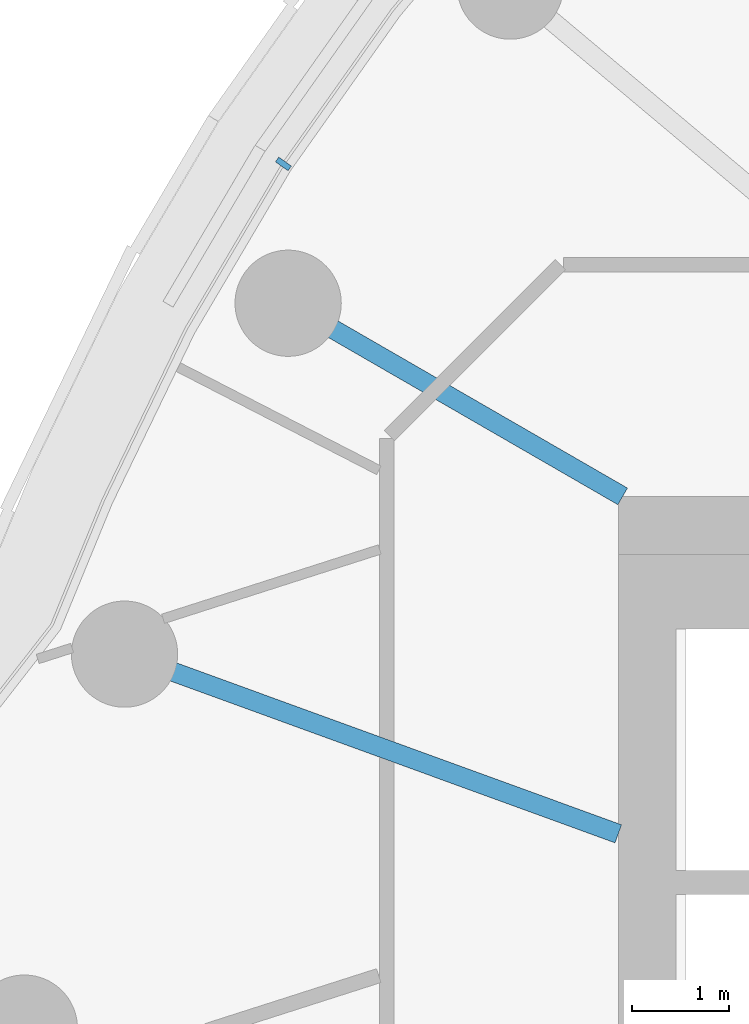
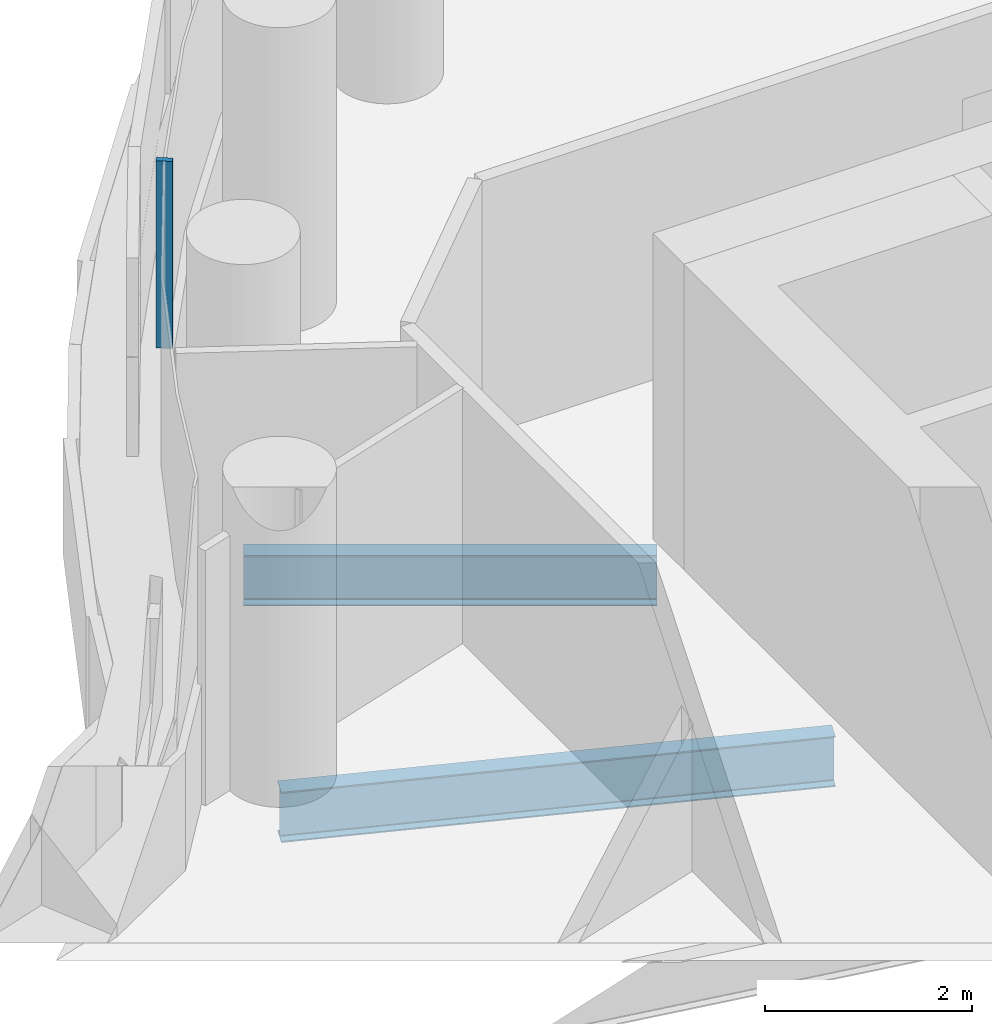
# One storey, part 7 of 30: 2 beams, 1 member, 1 element without a shape of its own.
"""IFC4 building model written with IfcOpenShell, lengths in metres."""

import ifcopenshell
import ifcopenshell.guid

model = None  # the IFC model being written
_history = None  # IfcOwnerHistory: only IFC2X3 demands one
_inside = {}  # id of a spatial element -> (the spatial element, [elements in it])
_under = {}  # id of a project, library or spatial element -> (it, [spatial elements below it])
_declared = {}  # id of a project -> (the project, [libraries it declares])
_typed = {}  # id of a type object -> (the type object, [elements of that type])
_made_of = {}  # id of a material, layer set ... -> (it, [elements and type objects made of it])


def new_model(schema):
    """Start an empty IFC model of exactly this schema.

    Asked for "IFC4X3", IfcOpenShell would pick the latest addendum, in which some entities
    have other attributes; the version numbers below select the first issue.
    IFC2X3 requires an IfcOwnerHistory on every rooted entity: one is made here for all.
    """
    global model, _history
    if schema == "IFC4X3":
        model = ifcopenshell.file(schema_version=(4, 3, 0, 0))
    else:
        model = ifcopenshell.file(schema=schema)
    _inside.clear()
    _under.clear()
    _declared.clear()
    _typed.clear()
    _made_of.clear()
    _history = None
    if model.schema == "IFC2X3":
        org = make("IfcOrganization", Name="unknown")
        user = make(
            "IfcPersonAndOrganization",
            ThePerson=make("IfcPerson", FamilyName="unknown"),
            TheOrganization=org,
        )
        app = make(
            "IfcApplication",
            ApplicationDeveloper=org,
            Version="unknown",
            ApplicationFullName="unknown",
            ApplicationIdentifier="unknown",
        )
        _history = make(
            "IfcOwnerHistory",
            OwningUser=user,
            OwningApplication=app,
            ChangeAction="ADDED",
            CreationDate=0,
        )
    return model


def make(cls, **values):
    """One entity of the class cls with the attributes given. An attribute that is None is left unset."""
    return model.create_entity(
        cls, **{name: value for name, value in values.items() if value is not None}
    )


def rooted(cls, **values):
    """An entity with a GlobalId (a new one), such as an element, a storey or a relation."""
    return make(cls, GlobalId=ifcopenshell.guid.new(), OwnerHistory=_history, **values)


def si_unit(unit_type, name, prefix=None):
    """IfcSIUnit, for example si_unit("LENGTHUNIT", "METRE", prefix="MILLI")."""
    return make("IfcSIUnit", UnitType=unit_type, Prefix=prefix, Name=name)


def assignment(units):
    """IfcUnitAssignment: the units of a project."""
    return None if units is None else make("IfcUnitAssignment", Units=units)


def point(xyz):
    """IfcCartesianPoint."""
    return None if xyz is None else make("IfcCartesianPoint", Coordinates=xyz)


def direction(xyz):
    """IfcDirection."""
    return None if xyz is None else make("IfcDirection", DirectionRatios=xyz)


def frame(location, z_axis=None, x_axis=None):
    """IfcAxis2Placement3D, a coordinate frame: its origin and axes. An axis left out is left unset."""
    return make(
        "IfcAxis2Placement3D",
        Location=point(location),
        Axis=direction(z_axis),
        RefDirection=direction(x_axis),
    )


def frame_2d(location, x_axis=None):
    """IfcAxis2Placement2D, a coordinate frame in the plane: its origin and x axis."""
    return make(
        "IfcAxis2Placement2D", Location=point(location), RefDirection=direction(x_axis)
    )


def origin():
    """The frame at (0, 0, 0) with its axes left unset."""
    return frame((0.0, 0.0, 0.0))


def origin_2d():
    """The frame at (0, 0) in the plane with its x axis left unset."""
    return frame_2d((0.0, 0.0))


def place(relative_to, where):
    """IfcLocalPlacement: puts the frame where relative to a parent placement (None: the world)."""
    return make(
        "IfcLocalPlacement", PlacementRelTo=relative_to, RelativePlacement=where
    )


def context(
    kind, dimensions, precision=None, world=None, true_north=None, identifier=None
):
    """IfcGeometricRepresentationContext, for example the 3D "Model" context."""
    return make(
        "IfcGeometricRepresentationContext",
        ContextIdentifier=identifier,
        ContextType=kind,
        CoordinateSpaceDimension=dimensions,
        Precision=precision,
        WorldCoordinateSystem=world,
        TrueNorth=true_north,
    )


def subcontext(parent, identifier, kind, view, scale=None):
    """IfcGeometricRepresentationSubContext, for example "Body" below "Model"."""
    return make(
        "IfcGeometricRepresentationSubContext",
        ContextIdentifier=identifier,
        ContextType=kind,
        ParentContext=parent,
        TargetScale=scale,
        TargetView=view,
    )


def project(units=None, contexts=None):
    """IfcProject with its units and contexts."""
    return rooted(
        "IfcProject",
        Name="project",
        RepresentationContexts=contexts,
        UnitsInContext=assignment(units),
    )


def spatial(cls, under=None, at=None, **own):
    """A site, building, storey or space (cls), placed at a placement, below another one or the project."""
    s = rooted(cls, ObjectPlacement=at, **own)
    if under is not None:
        _under.setdefault(under.id(), (under, []))[1].append(s)
    return s


def profile(cls, at=None, kind="AREA", **sizes):
    """A parametric profile (cls). Its sizes go by their IFC names, for example OverallWidth=200.0."""
    return make(cls, ProfileType=kind, Position=at, **sizes)


def rectangle(**sizes):
    """IfcRectangleProfileDef."""
    return profile("IfcRectangleProfileDef", **sizes)


def i_section(**sizes):
    """IfcIShapeProfileDef."""
    return profile("IfcIShapeProfileDef", **sizes)


def extrude(swept, where, along, depth):
    """IfcExtrudedAreaSolid: the profile swept, set in the frame where, extruded along a direction by depth."""
    return make(
        "IfcExtrudedAreaSolid",
        SweptArea=swept,
        Position=where,
        ExtrudedDirection=direction(along),
        Depth=depth,
    )


def shape(context_of_items, identifier, shape_type, items):
    """IfcShapeRepresentation: the items that make up one representation, for example the "Body"."""
    return make(
        "IfcShapeRepresentation",
        ContextOfItems=context_of_items,
        RepresentationIdentifier=identifier,
        RepresentationType=shape_type,
        Items=items,
    )


def material(Name=None, Category=None):
    """IfcMaterial."""
    return make("IfcMaterial", Name=Name, Category=Category)


def layer(
    of_material, thickness, ventilated=None, Name=None, Category=None, Priority=None
):
    """IfcMaterialLayer: one layer of a wall or slab, of a material (None: an air gap)."""
    return make(
        "IfcMaterialLayer",
        Material=of_material,
        LayerThickness=thickness,
        IsVentilated=ventilated,
        Name=Name,
        Category=Category,
        Priority=Priority,
    )


def layer_set(layers, Name=None):
    """IfcMaterialLayerSet."""
    return make("IfcMaterialLayerSet", MaterialLayers=layers, LayerSetName=Name)


def material_profile(
    of_material, cross_section, Name=None, Category=None, Priority=None
):
    """IfcMaterialProfile: a cross section and its material."""
    return make(
        "IfcMaterialProfile",
        Name=Name,
        Material=of_material,
        Profile=cross_section,
        Priority=Priority,
        Category=Category,
    )


def profile_set(profiles, Name=None, composite=None):
    """IfcMaterialProfileSet."""
    return make(
        "IfcMaterialProfileSet",
        Name=Name,
        MaterialProfiles=profiles,
        CompositeProfile=composite,
    )


def made_of(thing, what):
    """Note that an element or type object is made of a material, layer set ...; save() writes the relation."""
    if what is not None:
        _made_of.setdefault(what.id(), (what, []))[1].append(thing)
    return thing


def type_object(cls, material=None, **own):
    """A type object (cls), such as IfcWallType, which elements share."""
    return made_of(rooted(cls, **own), material)


def element(
    cls,
    number,
    at=None,
    inside=None,
    cuts=None,
    type_object=None,
    material=None,
    context=None,
    identifier="Body",
    shape_type=None,
    held_by="IfcProductDefinitionShape",
    body=None,
    shapes=None,
    **own,
):
    """One element of the class cls, such as IfcWall. Its Tag is "e" and its number.

    at: its placement. inside: the storey or other place that contains it. cuts: it is an
    opening in that element (IfcRelVoidsElement). A single representation is given by context,
    identifier, shape_type and body (its items); several are given by shapes. held_by: the class
    of the entity that holds the representations. save() writes the other relations.
    """
    e = rooted(cls, Tag="e%d" % number, ObjectPlacement=at, **own)
    if body is not None:
        shapes = [shape(context, identifier, shape_type, body)]
    if shapes is not None:
        e.Representation = make(held_by, Representations=shapes)
    if inside is not None:
        _inside.setdefault(inside.id(), (inside, []))[1].append(e)
    if cuts is not None:
        rooted(
            "IfcRelVoidsElement", RelatingBuildingElement=cuts, RelatedOpeningElement=e
        )
    if type_object is not None:
        _typed.setdefault(type_object.id(), (type_object, []))[1].append(e)
    return made_of(e, material)


def aggregate(whole, parts):
    """IfcRelAggregates: a whole, such as a stair, and the parts it consists of."""
    return rooted("IfcRelAggregates", RelatingObject=whole, RelatedObjects=parts)


def save(model, path):
    """Write the relations noted so far, then the file.

    IfcRelAggregates (storeys below a building ...), IfcRelContainedInSpatialStructure (elements
    in a storey), IfcRelDefinesByType, IfcRelAssociatesMaterial and IfcRelDeclares: one each for
    every whole, place, type object, material and project.
    """
    for whole, parts in _under.values():
        aggregate(whole, parts)
    for where, things in _inside.values():
        rooted(
            "IfcRelContainedInSpatialStructure",
            RelatedElements=things,
            RelatingStructure=where,
        )
    for kind, things in _typed.values():
        rooted("IfcRelDefinesByType", RelatedObjects=things, RelatingType=kind)
    for what, things in _made_of.values():
        rooted("IfcRelAssociatesMaterial", RelatedObjects=things, RelatingMaterial=what)
    for by, libraries in _declared.values():
        rooted("IfcRelDeclares", RelatingContext=by, RelatedDefinitions=libraries)
    model.write(path)


model = new_model("IFC4")

# Units and contexts
model_context = context("Model", 3, precision=1e-05, world=origin(), true_north=direction((0.0, 1.0)))
body_context = subcontext(model_context, "Body", "Model", "MODEL_VIEW")
ifc_project = project(units=[si_unit("LENGTHUNIT", "METRE"), si_unit("AREAUNIT", "SQUARE_METRE"), si_unit("VOLUMEUNIT", "CUBIC_METRE"), si_unit("PLANEANGLEUNIT", "RADIAN"), si_unit("MASSUNIT", "GRAM", prefix="KILO")], contexts=[model_context])

# Site, building, storey
site_placement = place(None, origin())
site = spatial("IfcSite", under=ifc_project, at=site_placement, CompositionType="ELEMENT")
building_placement = place(site_placement, origin())
building = spatial("IfcBuilding", under=site, at=building_placement, Name="Tamarind Cross Interchange Tower", CompositionType="ELEMENT")
storey_placement = place(building_placement, frame((0.0, 0.0, 98.5)))
storey = spatial("IfcBuildingStorey", under=building, at=storey_placement, Name="L23", CompositionType="ELEMENT", Elevation=98.5)

# Beams
ifc_material_1 = material(Name="Steel Q355B", Category="steel")
ifc_material_profile_1 = material_profile(ifc_material_1, i_section(OverallWidth=0.198974609375, OverallDepth=0.595947265625, WebThickness=0.010009765625, FlangeThickness=0.014892578125, FilletRadius=0.012939453125, at=origin_2d()), Name="HN 596x199x10x15")
ifc_profile_set_1 = profile_set([ifc_material_profile_1], Name="Steel Q355B")
beam_type = type_object("IfcBeamType", Name="Composite beam HN 596x199x10x15 Q355B", PredefinedType="BEAM", material=ifc_profile_set_1)
beam_1_placement = place(storey_placement, frame((-19.918701171875, 11.5, -0.43798828125), z_axis=(0.866026010844, -0.49999894854, 0.0), x_axis=(0.49999894854, 0.866026010844, 0.0)))
element("IfcBeam", 1, at=beam_1_placement, inside=storey, type_object=beam_type, Name="Beam HH15", PredefinedType="BEAM", context=body_context, shape_type="SweptSolid", body=[
    extrude(i_section(OverallWidth=0.198974609375, OverallDepth=0.595947265625, WebThickness=0.010009765625, FlangeThickness=0.014892578125, FilletRadius=0.012939453125, at=origin_2d()), origin(), (0.0, 0.0, 1.0), 4.0),
])
beam_2_placement = place(storey_placement, frame((-21.613037109375, 7.866455078125, -0.43798828125), z_axis=(0.939701685589, -0.341995236956, 0.0), x_axis=(0.341995236956, 0.939701685589, 0.0)))
element("IfcBeam", 2, at=beam_2_placement, inside=storey, type_object=beam_type, Name="Beam HH16", PredefinedType="BEAM", context=body_context, shape_type="SweptSolid", body=[
    extrude(i_section(OverallWidth=0.198974609375, OverallDepth=0.595947265625, WebThickness=0.010009765625, FlangeThickness=0.014892578125, FilletRadius=0.012939453125, at=origin_2d()), origin(), (0.0, 0.0, 1.0), 5.441162109375),
])

# Curtain wall, member
ifc_material_2 = material(Name="Aluminium 6063-T6", Category="aluminium")
ifc_layer = layer(ifc_material_2, 0.159912109375)
ifc_layer_set = layer_set([ifc_layer], Name="Aluminium 6063-T6")
curtain_wall_type = type_object("IfcCurtainWallType", Name="Office curtain wall, 9.0 m bays", PredefinedType="NOTDEFINED", material=ifc_layer_set)
curtain_wall_placement = place(storey_placement, origin())
curtain_wall = element("IfcCurtainWall", 3, at=curtain_wall_placement, inside=storey, type_object=curtain_wall_type, Name="CWS-L23-06", PredefinedType="NOTDEFINED")
ifc_material_profile_2 = material_profile(ifc_material_2, rectangle(XDim=0.06005859375, YDim=0.159912109375, at=origin_2d()), Name="Mullion CW1")
ifc_profile_set_2 = profile_set([ifc_material_profile_2], Name="Aluminium 6063-T6")
member_type = type_object("IfcMemberType", Name="Mullion CW1", PredefinedType="MULLION", material=ifc_profile_set_2)
member_placement = place(storey_placement, frame((-19.9677734375, 12.942138671875, 1.39990234375), z_axis=(0.0, 0.0, 1.0), x_axis=(-0.577568978284, -0.816341886298, 0.0)))
member = element("IfcMember", 4, at=member_placement, type_object=member_type, Name="CWM-L23-06-02", PredefinedType="MULLION", context=body_context, shape_type="SweptSolid", body=[
    extrude(rectangle(XDim=0.06005859375, YDim=0.159912109375, at=origin_2d()), origin(), (0.0, 0.0, 1.0), 2.210205078125),
])
aggregate(curtain_wall, [member])

save(model, "model.ifc")
